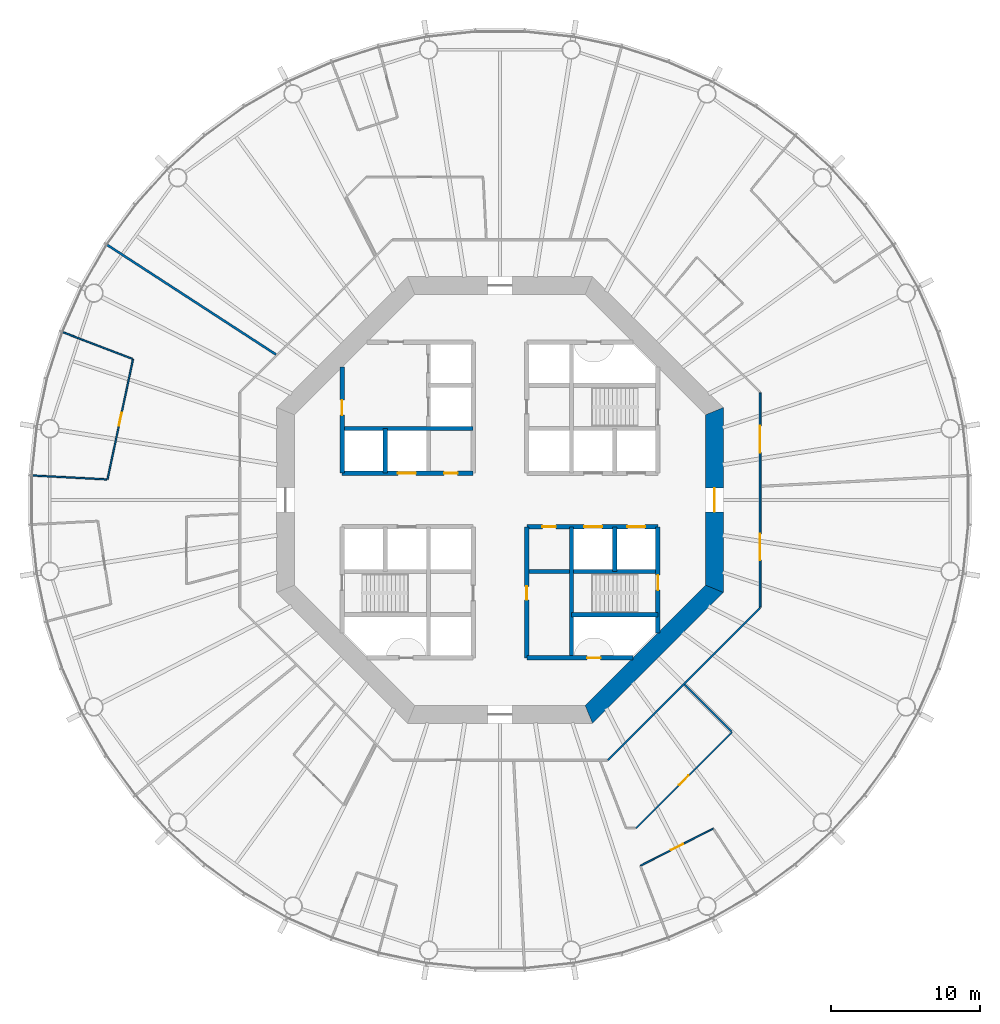
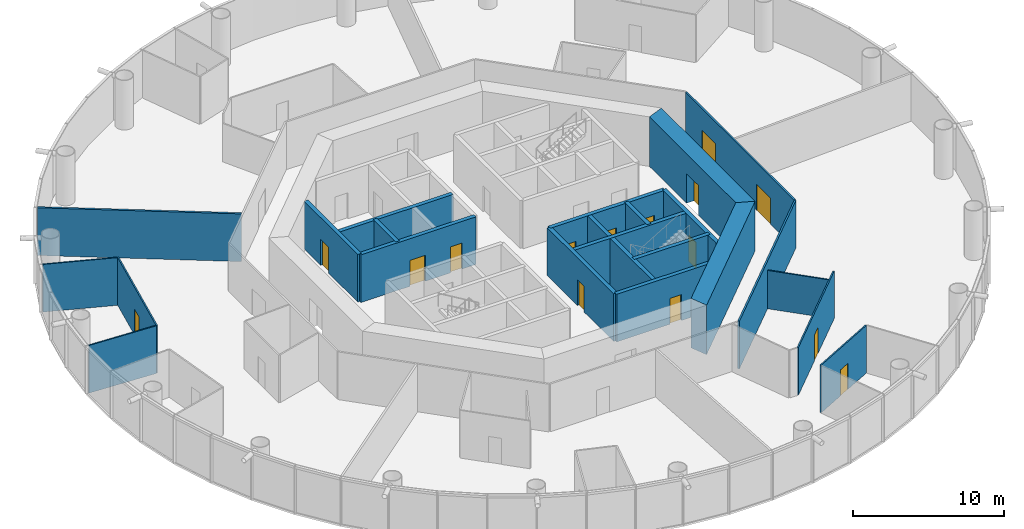
# One storey, part 4 of 13: 23 walls, 15 doors, 15 openings.
"""IFC4 building model written with IfcOpenShell, lengths in metres."""

from ifc_helpers import new_model, si_unit, direction, frame, frame_2d, origin, place, context, subcontext, project, spatial, polyline, rectangle, outline, extrude, material, layer, layer_set, type_object, element, fill, save


model = new_model("IFC4")

# Units and contexts
model_context = context("Model", 3, precision=1e-05, world=origin(), true_north=direction((0.0, 1.0)))
body_context = subcontext(model_context, "Body", "Model", "MODEL_VIEW")
ifc_project = project(units=[si_unit("LENGTHUNIT", "METRE"), si_unit("AREAUNIT", "SQUARE_METRE"), si_unit("VOLUMEUNIT", "CUBIC_METRE"), si_unit("PLANEANGLEUNIT", "RADIAN"), si_unit("MASSUNIT", "GRAM", prefix="KILO")], contexts=[model_context])

# Site, building, storey
site_placement = place(None, origin())
site = spatial("IfcSite", under=ifc_project, at=site_placement, CompositionType="ELEMENT")
building_placement = place(site_placement, origin())
building = spatial("IfcBuilding", under=site, at=building_placement, Name="Entoto Ring Tower", CompositionType="ELEMENT")
storey_placement = place(building_placement, frame((0.0, 0.0, 92.0)))
storey = spatial("IfcBuildingStorey", under=building, at=storey_placement, Name="L20", CompositionType="ELEMENT", Elevation=92.0)

# Wall, opening, door
ifc_material_1 = material(Name="Concrete C40/50", Category="concrete")
ifc_layer_1 = layer(ifc_material_1, 0.300048828125)
ifc_layer_set_1 = layer_set([ifc_layer_1], Name="Concrete C40/50")
wall_type_1 = type_object("IfcWallType", Name="Core enclosure wall 300 mm reinforced concrete", PredefinedType="SOLIDWALL", material=ifc_layer_set_1)
wall_1_placement = place(storey_placement, frame((100.60009765625, 71.083984375, 0.0), z_axis=(0.0, 0.0, 1.0), x_axis=(0.0, 1.0, 0.0)))
wall_1 = element("IfcWall", 1, at=wall_1_placement, inside=storey, type_object=wall_type_1, Name="wall-L20-001", PredefinedType="SOLIDWALL", context=body_context, shape_type="SweptSolid", body=[
    extrude(rectangle(XDim=7.115966796875, YDim=0.300048828125, at=frame_2d((3.55810546875, 0.0))), origin(), (0.0, 0.0, 1.0), 3.85009765625),
])
opening_1_placement = place(wall_1_placement, frame((2.8662109375, 0.0, 0.0)))
opening_1 = element("IfcOpeningElement", 2, at=opening_1_placement, cuts=wall_1, Name="Opening K-59", PredefinedType="OPENING", context=body_context, shape_type="SweptSolid", body=[
    extrude(rectangle(XDim=1.0, YDim=2.10009765625, at=frame_2d((0.5, 1.050048828125))), frame((0.0, 0.16015625, 0.0), z_axis=(0.0, -1.0, 0.0), x_axis=(1.0, 0.0, 0.0)), (0.0, 0.0, 1.0), 0.320068359375),
])
ifc_material_2 = material(Name="Steel door leaf, fire rated", Category="steel")
ifc_layer_2 = layer(ifc_material_2, 0.050048828125)
ifc_layer_set_2 = layer_set([ifc_layer_2], Name="Steel door leaf, fire rated")
door_type_1 = type_object("IfcDoorType", Name="Fire door FD60 1000 x 2100 single leaf", OperationType="NOTDEFINED", PredefinedType="DOOR", material=ifc_layer_set_2)
door_1_placement = place(opening_1_placement, origin())
door_1 = element("IfcDoor", 3, at=door_1_placement, inside=storey, type_object=door_type_1, Name="Door K-59", OperationType="SINGLE_SWING_RIGHT", OverallHeight=2.10009765625, OverallWidth=1.0, PredefinedType="DOOR", context=body_context, shape_type="SweptSolid", body=[
    extrude(rectangle(XDim=1.0, YDim=2.10009765625, at=frame_2d((0.5, 1.050048828125))), frame((0.0, 0.02490234375, 0.0), z_axis=(0.0, -1.0, 0.0), x_axis=(1.0, 0.0, 0.0)), (0.0, 0.0, 1.0), 0.050048828125),
])
fill(opening_1, door_1)

# Walls
wall_2_placement = place(storey_placement, frame((97.699951171875, 75.199951171875, 0.0), z_axis=(0.0, 0.0, 1.0), x_axis=(0.0, 1.0, 0.0)))
element("IfcWall", 4, at=wall_2_placement, inside=storey, type_object=wall_type_1, Name="wall-L20-003", PredefinedType="SOLIDWALL", context=body_context, shape_type="SweptSolid", body=[
    extrude(rectangle(XDim=3.0, YDim=0.300048828125, at=frame_2d((1.5, 0.0))), origin(), (0.0, 0.0, 1.0), 3.85009765625),
])
wall_3_placement = place(storey_placement, frame((94.800048828125, 69.39990234375, 0.0), z_axis=(0.0, 0.0, 1.0), x_axis=(0.0, 1.0, 0.0)))
element("IfcWall", 5, at=wall_3_placement, inside=storey, type_object=wall_type_1, Name="wall-L20-005", PredefinedType="SOLIDWALL", context=body_context, shape_type="SweptSolid", body=[
    extrude(rectangle(XDim=8.800048828125, YDim=0.300048828125, at=frame_2d((4.39990234375, 0.0))), origin(), (0.0, 0.0, 1.0), 3.85009765625),
])

# Wall, opening, door
wall_4_placement = place(storey_placement, frame((91.800048828125, 69.39990234375, 0.0), z_axis=(0.0, 0.0, 1.0), x_axis=(0.0, 1.0, 0.0)))
wall_4 = element("IfcWall", 6, at=wall_4_placement, inside=storey, type_object=wall_type_1, Name="wall-L20-007", PredefinedType="SOLIDWALL", context=body_context, shape_type="SweptSolid", body=[
    extrude(rectangle(XDim=8.800048828125, YDim=0.300048828125, at=frame_2d((4.39990234375, 0.0))), origin(), (0.0, 0.0, 1.0), 3.85009765625),
])
opening_2_placement = place(wall_4_placement, frame((3.89990234375, 0.0, 0.0)))
opening_2 = element("IfcOpeningElement", 7, at=opening_2_placement, cuts=wall_4, Name="Opening K-12", PredefinedType="OPENING", context=body_context, shape_type="SweptSolid", body=[
    extrude(rectangle(XDim=0.89990234375, YDim=2.10009765625, at=frame_2d((0.449951171875, 1.050048828125))), frame((0.0, 0.16015625, 0.0), z_axis=(0.0, -1.0, 0.0), x_axis=(1.0, 0.0, 0.0)), (0.0, 0.0, 1.0), 0.320068359375),
])
ifc_material_3 = material(Name="Steel door leaf, fire rated", Category="steel")
ifc_layer_3 = layer(ifc_material_3, 0.050048828125)
ifc_layer_set_3 = layer_set([ifc_layer_3], Name="Steel door leaf, fire rated")
door_type_2 = type_object("IfcDoorType", Name="Core door 900 x 2100 single leaf", OperationType="NOTDEFINED", PredefinedType="DOOR", material=ifc_layer_set_3)
door_2_placement = place(opening_2_placement, frame((0.89990234375, 0.0, 0.0), z_axis=(0.0, 0.0, 1.0), x_axis=(-1.0, 0.0, 0.0)))
door_2 = element("IfcDoor", 8, at=door_2_placement, inside=storey, type_object=door_type_2, Name="Door K-12", OperationType="SINGLE_SWING_LEFT", OverallHeight=2.10009765625, OverallWidth=0.89990234375, PredefinedType="DOOR", context=body_context, shape_type="SweptSolid", body=[
    extrude(rectangle(XDim=0.89990234375, YDim=2.10009765625, at=frame_2d((0.449951171875, 1.050048828125))), frame((0.0, 0.02490234375, 0.0), z_axis=(0.0, -1.0, 0.0), x_axis=(1.0, 0.0, 0.0)), (0.0, 0.0, 1.0), 0.050048828125),
])
fill(opening_2, door_2)

# Wall
wall_5_placement = place(storey_placement, frame((82.300048828125, 81.800048828125, 0.0), z_axis=(0.0, 0.0, 1.0), x_axis=(0.0, 1.0, 0.0)))
element("IfcWall", 9, at=wall_5_placement, inside=storey, type_object=wall_type_1, Name="wall-L20-014", PredefinedType="SOLIDWALL", context=body_context, shape_type="SweptSolid", body=[
    extrude(rectangle(XDim=3.0, YDim=0.300048828125, at=frame_2d((1.5, 0.0))), origin(), (0.0, 0.0, 1.0), 3.85009765625),
])

# Wall, opening, door
wall_6_placement = place(storey_placement, frame((79.39990234375, 81.800048828125, 0.0), z_axis=(0.0, 0.0, 1.0), x_axis=(0.0, 1.0, 0.0)))
wall_6 = element("IfcWall", 10, at=wall_6_placement, inside=storey, type_object=wall_type_1, Name="wall-L20-016", PredefinedType="SOLIDWALL", context=body_context, shape_type="SweptSolid", body=[
    extrude(rectangle(XDim=7.115966796875, YDim=0.300048828125, at=frame_2d((3.55810546875, 0.0))), origin(), (0.0, 0.0, 1.0), 3.85009765625),
])
opening_3_placement = place(wall_6_placement, frame((3.89990234375, 0.0, 0.0)))
opening_3 = element("IfcOpeningElement", 11, at=opening_3_placement, cuts=wall_6, Name="Opening K-22", PredefinedType="OPENING", context=body_context, shape_type="SweptSolid", body=[
    extrude(rectangle(XDim=1.0, YDim=2.10009765625, at=frame_2d((0.5, 1.050048828125))), frame((0.0, 0.16015625, 0.0), z_axis=(0.0, -1.0, 0.0), x_axis=(1.0, 0.0, 0.0)), (0.0, 0.0, 1.0), 0.320068359375),
])
door_3_placement = place(opening_3_placement, frame((1.0, 0.0, 0.0), z_axis=(0.0, 0.0, 1.0), x_axis=(-1.0, 0.0, 0.0)))
door_3 = element("IfcDoor", 12, at=door_3_placement, inside=storey, type_object=door_type_1, Name="Door K-22", OperationType="SINGLE_SWING_LEFT", OverallHeight=2.10009765625, OverallWidth=1.0, PredefinedType="DOOR", context=body_context, shape_type="SweptSolid", body=[
    extrude(rectangle(XDim=1.0, YDim=2.10009765625, at=frame_2d((0.5, 1.050048828125))), frame((0.0, 0.02490234375, 0.0), z_axis=(0.0, -1.0, 0.0), x_axis=(1.0, 0.0, 0.0)), (0.0, 0.0, 1.0), 0.050048828125),
])
fill(opening_3, door_3)

wall_7_placement = place(storey_placement, frame((91.800048828125, 69.39990234375, 0.0), z_axis=(0.0, 0.0, 1.0), x_axis=(1.0, 0.0, 0.0)))
wall_7 = element("IfcWall", 13, at=wall_7_placement, inside=storey, type_object=wall_type_1, Name="wall-L20-018", PredefinedType="SOLIDWALL", context=body_context, shape_type="SweptSolid", body=[
    extrude(rectangle(XDim=7.115966796875, YDim=0.300048828125, at=frame_2d((3.55810546875, 0.0))), origin(), (0.0, 0.0, 1.0), 3.85009765625),
])
opening_4_placement = place(wall_7_placement, frame((4.050048828125, 0.0, 0.0)))
opening_4 = element("IfcOpeningElement", 14, at=opening_4_placement, cuts=wall_7, Name="Opening K-66", PredefinedType="OPENING", context=body_context, shape_type="SweptSolid", body=[
    extrude(rectangle(XDim=0.89990234375, YDim=2.10009765625, at=frame_2d((0.449951171875, 1.050048828125))), frame((0.0, 0.16015625, 0.0), z_axis=(0.0, -1.0, 0.0), x_axis=(1.0, 0.0, 0.0)), (0.0, 0.0, 1.0), 0.320068359375),
])
ifc_material_4 = material(Name="Steel door leaf, fire rated", Category="steel")
ifc_layer_4 = layer(ifc_material_4, 0.050048828125)
ifc_layer_set_4 = layer_set([ifc_layer_4], Name="Steel door leaf, fire rated")
door_type_3 = type_object("IfcDoorType", Name="Riser door FD60 900 x 2100 single leaf", OperationType="NOTDEFINED", PredefinedType="DOOR", material=ifc_layer_set_4)
door_4_placement = place(opening_4_placement, origin())
door_4 = element("IfcDoor", 15, at=door_4_placement, inside=storey, type_object=door_type_3, Name="Door K-66", OperationType="SINGLE_SWING_LEFT", OverallHeight=2.10009765625, OverallWidth=0.89990234375, PredefinedType="DOOR", context=body_context, shape_type="SweptSolid", body=[
    extrude(rectangle(XDim=0.89990234375, YDim=2.10009765625, at=frame_2d((0.449951171875, 1.050048828125))), frame((0.0, 0.02490234375, 0.0), z_axis=(0.0, -1.0, 0.0), x_axis=(1.0, 0.0, 0.0)), (0.0, 0.0, 1.0), 0.050048828125),
])
fill(opening_4, door_4)

# Walls
wall_8_placement = place(storey_placement, frame((94.800048828125, 72.300048828125, 0.0), z_axis=(0.0, 0.0, 1.0), x_axis=(1.0, 0.0, 0.0)))
element("IfcWall", 16, at=wall_8_placement, inside=storey, type_object=wall_type_1, Name="wall-L20-020", PredefinedType="SOLIDWALL", context=body_context, shape_type="SweptSolid", body=[
    extrude(rectangle(XDim=5.800048828125, YDim=0.300048828125, at=frame_2d((2.89990234375, 0.0))), origin(), (0.0, 0.0, 1.0), 3.85009765625),
])
wall_9_placement = place(storey_placement, frame((91.800048828125, 75.199951171875, 0.0), z_axis=(0.0, 0.0, 1.0), x_axis=(1.0, 0.0, 0.0)))
element("IfcWall", 17, at=wall_9_placement, inside=storey, type_object=wall_type_1, Name="wall-L20-022", PredefinedType="SOLIDWALL", context=body_context, shape_type="SweptSolid", body=[
    extrude(rectangle(XDim=8.800048828125, YDim=0.300048828125, at=frame_2d((4.39990234375, 0.0))), origin(), (0.0, 0.0, 1.0), 3.85009765625),
])

# Wall, openings, doors
wall_10_placement = place(storey_placement, frame((91.800048828125, 78.199951171875, 0.0), z_axis=(0.0, 0.0, 1.0), x_axis=(1.0, 0.0, 0.0)))
wall_10 = element("IfcWall", 18, at=wall_10_placement, inside=storey, type_object=wall_type_1, Name="wall-L20-024", PredefinedType="SOLIDWALL", context=body_context, shape_type="SweptSolid", body=[
    extrude(rectangle(XDim=8.800048828125, YDim=0.300048828125, at=frame_2d((4.39990234375, 0.0))), origin(), (0.0, 0.0, 1.0), 3.85009765625),
])
opening_5_placement = place(wall_10_placement, frame((3.85009765625, 0.0, 0.0)))
opening_5 = element("IfcOpeningElement", 19, at=opening_5_placement, cuts=wall_10, Name="Opening LD", PredefinedType="OPENING", context=body_context, shape_type="SweptSolid", body=[
    extrude(rectangle(XDim=1.199951171875, YDim=2.10009765625, at=frame_2d((0.60009765625, 1.050048828125))), frame((0.0, 0.16015625, 0.0), z_axis=(0.0, -1.0, 0.0), x_axis=(1.0, 0.0, 0.0)), (0.0, 0.0, 1.0), 0.320068359375),
])
opening_6_placement = place(wall_10_placement, frame((6.75, 0.0, 0.0)))
opening_6 = element("IfcOpeningElement", 20, at=opening_6_placement, cuts=wall_10, Name="Opening LD", PredefinedType="OPENING", context=body_context, shape_type="SweptSolid", body=[
    extrude(rectangle(XDim=1.199951171875, YDim=2.10009765625, at=frame_2d((0.60009765625, 1.050048828125))), frame((0.0, 0.16015625, 0.0), z_axis=(0.0, -1.0, 0.0), x_axis=(1.0, 0.0, 0.0)), (0.0, 0.0, 1.0), 0.320068359375),
])
opening_7_placement = place(wall_10_placement, frame((1.050048828125, 0.0, 0.0)))
opening_7 = element("IfcOpeningElement", 21, at=opening_7_placement, cuts=wall_10, Name="Opening K-15", PredefinedType="OPENING", context=body_context, shape_type="SweptSolid", body=[
    extrude(rectangle(XDim=0.89990234375, YDim=2.10009765625, at=frame_2d((0.449951171875, 1.050048828125))), frame((0.0, 0.16015625, 0.0), z_axis=(0.0, -1.0, 0.0), x_axis=(1.0, 0.0, 0.0)), (0.0, 0.0, 1.0), 0.320068359375),
])
door_5_placement = place(opening_7_placement, frame((0.89990234375, 0.0, 0.0), z_axis=(0.0, 0.0, 1.0), x_axis=(-1.0, 0.0, 0.0)))
door_5 = element("IfcDoor", 22, at=door_5_placement, inside=storey, type_object=door_type_2, Name="Door K-15", OperationType="SINGLE_SWING_RIGHT", OverallHeight=2.10009765625, OverallWidth=0.89990234375, PredefinedType="DOOR", context=body_context, shape_type="SweptSolid", body=[
    extrude(rectangle(XDim=0.89990234375, YDim=2.10009765625, at=frame_2d((0.449951171875, 1.050048828125))), frame((0.0, 0.02490234375, 0.0), z_axis=(0.0, -1.0, 0.0), x_axis=(1.0, 0.0, 0.0)), (0.0, 0.0, 1.0), 0.050048828125),
])
fill(opening_7, door_5)
ifc_material_5 = material(Name="Steel and glass door leaf", Category="steel")
ifc_layer_5 = layer(ifc_material_5, 0.050048828125)
ifc_layer_set_5 = layer_set([ifc_layer_5], Name="Steel and glass door leaf")
door_type_4 = type_object("IfcDoorType", Name="Landing door 1200 x 2100 sliding", OperationType="DOUBLE_DOOR_SLIDING", PredefinedType="DOOR", material=ifc_layer_set_5)
door_6_placement = place(opening_5_placement, origin())
door_6 = element("IfcDoor", 23, at=door_6_placement, inside=storey, type_object=door_type_4, Name="Landing door LB4-LR", OperationType="SLIDING_TO_RIGHT", OverallHeight=2.10009765625, OverallWidth=1.199951171875, PredefinedType="DOOR", context=body_context, shape_type="SweptSolid", body=[
    extrude(rectangle(XDim=1.199951171875, YDim=2.10009765625, at=frame_2d((0.60009765625, 1.050048828125))), frame((0.0, 0.02490234375, 0.0), z_axis=(0.0, -1.0, 0.0), x_axis=(1.0, 0.0, 0.0)), (0.0, 0.0, 1.0), 0.050048828125),
])
fill(opening_5, door_6)
door_7_placement = place(opening_6_placement, origin())
door_7 = element("IfcDoor", 24, at=door_7_placement, inside=storey, type_object=door_type_4, Name="Landing door LB5-LR", OperationType="SLIDING_TO_RIGHT", OverallHeight=2.10009765625, OverallWidth=1.199951171875, PredefinedType="DOOR", context=body_context, shape_type="SweptSolid", body=[
    extrude(rectangle(XDim=1.199951171875, YDim=2.10009765625, at=frame_2d((0.60009765625, 1.050048828125))), frame((0.0, 0.02490234375, 0.0), z_axis=(0.0, -1.0, 0.0), x_axis=(1.0, 0.0, 0.0)), (0.0, 0.0, 1.0), 0.050048828125),
])
fill(opening_6, door_7)

wall_11_placement = place(storey_placement, frame((79.39990234375, 81.800048828125, 0.0), z_axis=(0.0, 0.0, 1.0), x_axis=(1.0, 0.0, 0.0)))
wall_11 = element("IfcWall", 25, at=wall_11_placement, inside=storey, type_object=wall_type_1, Name="wall-L20-025", PredefinedType="SOLIDWALL", context=body_context, shape_type="SweptSolid", body=[
    extrude(rectangle(XDim=8.800048828125, YDim=0.300048828125, at=frame_2d((4.39990234375, 0.0))), origin(), (0.0, 0.0, 1.0), 3.85009765625),
])
opening_8_placement = place(wall_11_placement, frame((3.75, 0.0, 0.0)))
opening_8 = element("IfcOpeningElement", 26, at=opening_8_placement, cuts=wall_11, Name="Opening LD", PredefinedType="OPENING", context=body_context, shape_type="SweptSolid", body=[
    extrude(rectangle(XDim=1.199951171875, YDim=2.10009765625, at=frame_2d((0.60009765625, 1.050048828125))), frame((0.0, 0.16015625, 0.0), z_axis=(0.0, -1.0, 0.0), x_axis=(1.0, 0.0, 0.0)), (0.0, 0.0, 1.0), 0.320068359375),
])
opening_9_placement = place(wall_11_placement, frame((6.85009765625, 0.0, 0.0)))
opening_9 = element("IfcOpeningElement", 27, at=opening_9_placement, cuts=wall_11, Name="Opening K-14", PredefinedType="OPENING", context=body_context, shape_type="SweptSolid", body=[
    extrude(rectangle(XDim=0.89990234375, YDim=2.10009765625, at=frame_2d((0.449951171875, 1.050048828125))), frame((0.0, 0.16015625, 0.0), z_axis=(0.0, -1.0, 0.0), x_axis=(1.0, 0.0, 0.0)), (0.0, 0.0, 1.0), 0.320068359375),
])
door_8_placement = place(opening_9_placement, frame((0.89990234375, 0.0, 0.0), z_axis=(0.0, 0.0, 1.0), x_axis=(-1.0, 0.0, 0.0)))
door_8 = element("IfcDoor", 28, at=door_8_placement, inside=storey, type_object=door_type_2, Name="Door K-14", OperationType="SINGLE_SWING_RIGHT", OverallHeight=2.10009765625, OverallWidth=0.89990234375, PredefinedType="DOOR", context=body_context, shape_type="SweptSolid", body=[
    extrude(rectangle(XDim=0.89990234375, YDim=2.10009765625, at=frame_2d((0.449951171875, 1.050048828125))), frame((0.0, 0.02490234375, 0.0), z_axis=(0.0, -1.0, 0.0), x_axis=(1.0, 0.0, 0.0)), (0.0, 0.0, 1.0), 0.050048828125),
])
fill(opening_9, door_8)
door_9_placement = place(opening_8_placement, origin())
door_9 = element("IfcDoor", 29, at=door_9_placement, inside=storey, type_object=door_type_4, Name="Landing door LB3-LR", OperationType="SLIDING_TO_RIGHT", OverallHeight=2.10009765625, OverallWidth=1.199951171875, PredefinedType="DOOR", context=body_context, shape_type="SweptSolid", body=[
    extrude(rectangle(XDim=1.199951171875, YDim=2.10009765625, at=frame_2d((0.60009765625, 1.050048828125))), frame((0.0, 0.02490234375, 0.0), z_axis=(0.0, -1.0, 0.0), x_axis=(1.0, 0.0, 0.0)), (0.0, 0.0, 1.0), 0.050048828125),
])
fill(opening_8, door_9)

# Wall
wall_12_placement = place(storey_placement, frame((79.39990234375, 84.800048828125, 0.0), z_axis=(0.0, 0.0, 1.0), x_axis=(1.0, 0.0, 0.0)))
element("IfcWall", 30, at=wall_12_placement, inside=storey, type_object=wall_type_1, Name="wall-L20-027", PredefinedType="SOLIDWALL", context=body_context, shape_type="SweptSolid", body=[
    extrude(rectangle(XDim=8.800048828125, YDim=0.300048828125, at=frame_2d((4.39990234375, 0.0))), origin(), (0.0, 0.0, 1.0), 3.85009765625),
])

# Wall, opening, door
ifc_material_6 = material(Name="Concrete C60/75", Category="concrete")
ifc_layer_6 = layer(ifc_material_6, 1.199951171875)
ifc_layer_set_6 = layer_set([ifc_layer_6], Name="Concrete C60/75")
wall_type_2 = type_object("IfcWallType", Name="Core shear wall 1200 mm reinforced concrete C60/75", PredefinedType="SHEAR", material=ifc_layer_set_6)
wall_13_placement = place(storey_placement, frame((104.39990234375, 74.035400390625, 0.0), z_axis=(0.0, 0.0, 1.0), x_axis=(0.0, 1.0, 0.0)))
wall_13 = element("IfcWall", 31, at=wall_13_placement, inside=storey, type_object=wall_type_2, Name="wall-L20-core-0", PredefinedType="SHEAR", context=body_context, shape_type="SweptSolid", body=[
    extrude(outline(polyline([(-0.24853515625, -0.60009765625), (12.177734375, -0.60009765625), (11.6806640625, 0.60009765625), (0.24853515625, 0.60009765625), (-0.24853515625, -0.60009765625)])), origin(), (0.0, 0.0, 1.0), 4.0),
])
opening_10_placement = place(wall_13_placement, frame((5.164794921875, 0.0, 0.0)))
opening_10 = element("IfcOpeningElement", 32, at=opening_10_placement, cuts=wall_13, Name="Opening K-01", PredefinedType="OPENING", context=body_context, shape_type="SweptSolid", body=[
    extrude(rectangle(XDim=1.60009765625, YDim=2.39990234375, at=frame_2d((0.800048828125, 1.199951171875))), frame((0.0, 0.60986328125, 0.0), z_axis=(0.0, -1.0, 0.0), x_axis=(1.0, 0.0, 0.0)), (0.0, 0.0, 1.0), 1.219970703125),
])
ifc_material_7 = material(Name="Steel door leaf, fire rated", Category="steel")
ifc_layer_7 = layer(ifc_material_7, 0.050048828125)
ifc_layer_set_7 = layer_set([ifc_layer_7], Name="Steel door leaf, fire rated")
door_type_5 = type_object("IfcDoorType", Name="Entrance door FD60 1600 x 2400 double leaf", OperationType="DOUBLE_DOOR_SINGLE_SWING", PredefinedType="DOOR", material=ifc_layer_set_7)
door_10_placement = place(opening_10_placement, origin())
door_10 = element("IfcDoor", 33, at=door_10_placement, inside=storey, type_object=door_type_5, Name="Entrance door K-01", OperationType="DOUBLE_DOOR_SINGLE_SWING", OverallHeight=2.39990234375, OverallWidth=1.60009765625, PredefinedType="DOOR", context=body_context, shape_type="SweptSolid", body=[
    extrude(rectangle(XDim=1.60009765625, YDim=2.39990234375, at=frame_2d((0.800048828125, 1.199951171875))), frame((0.0, 0.02490234375, 0.0), z_axis=(0.0, -1.0, 0.0), x_axis=(1.0, 0.0, 0.0)), (0.0, 0.0, 1.0), 0.050048828125),
])
fill(opening_10, door_10)

# Walls
wall_14_placement = place(storey_placement, frame((95.964599609375, 65.60009765625, 0.0), z_axis=(0.0, 0.0, 1.0), x_axis=(0.707106781187, 0.707106781187, 0.0)))
element("IfcWall", 34, at=wall_14_placement, inside=storey, type_object=wall_type_2, Name="wall-L20-core-7", PredefinedType="SHEAR", context=body_context, shape_type="SweptSolid", body=[
    extrude(outline(polyline([(-0.24853515625, -0.60009765625), (12.177734375, -0.60009765625), (11.6806640625, 0.60009765625), (0.24853515625, 0.60009765625), (-0.24853515625, -0.60009765625)])), origin(), (0.0, 0.0, 1.0), 4.0),
])
ifc_material_8 = material(Name="Fire-resisting plasterboard on steel studs", Category="steel")
ifc_layer_8 = layer(ifc_material_8, 0.125)
ifc_layer_set_8 = layer_set([ifc_layer_8], Name="Fire-resisting plasterboard on steel studs")
wall_type_3 = type_object("IfcWallType", Name="Corridor wall 125 mm one-hour plasterboard on steel studs", PredefinedType="PARTITIONING", material=ifc_layer_set_8)
wall_15_placement = place(storey_placement, frame((97.233154296875, 62.53759765625, 0.0), z_axis=(0.0, 0.0, 1.0), x_axis=(0.707106781187, 0.707106781187, 0.0)))
element("IfcWall", 35, at=wall_15_placement, inside=storey, type_object=wall_type_3, Name="partition-L20-003", PredefinedType="PARTITIONING", context=body_context, shape_type="SweptSolid", body=[
    extrude(rectangle(XDim=14.46630859375, YDim=0.125, at=frame_2d((7.233154296875, 0.0))), origin(), (0.0, 0.0, 1.0), 3.85009765625),
])

# Wall, openings, doors
wall_16_placement = place(storey_placement, frame((107.46240234375, 72.810791015625, 0.0), z_axis=(0.0, 0.0, 1.0), x_axis=(0.0, 1.0, 0.0)))
wall_16 = element("IfcWall", 36, at=wall_16_placement, inside=storey, type_object=wall_type_3, Name="partition-L20-008", PredefinedType="PARTITIONING", context=body_context, shape_type="SweptSolid", body=[
    extrude(rectangle(XDim=14.37841796875, YDim=0.125, at=frame_2d((7.189208984375, 0.0))), origin(), (0.0, 0.0, 1.0), 3.85009765625),
])
opening_11_placement = place(wall_16_placement, frame((3.13037109375, 0.0, 0.0)))
opening_11 = element("IfcOpeningElement", 37, at=opening_11_placement, cuts=wall_16, Name="Opening A09-D01", PredefinedType="OPENING", context=body_context, shape_type="SweptSolid", body=[
    extrude(rectangle(XDim=1.800048828125, YDim=2.10009765625, at=frame_2d((0.89990234375, 1.050048828125))), frame((0.0, 0.072509765625, 0.0), z_axis=(0.0, -1.0, 0.0), x_axis=(1.0, 0.0, 0.0)), (0.0, 0.0, 1.0), 0.14501953125),
])
opening_12_placement = place(wall_16_placement, frame((10.36328125, 0.0, 0.0)))
opening_12 = element("IfcOpeningElement", 38, at=opening_12_placement, cuts=wall_16, Name="Opening A09-D04", PredefinedType="OPENING", context=body_context, shape_type="SweptSolid", body=[
    extrude(rectangle(XDim=1.800048828125, YDim=2.10009765625, at=frame_2d((0.89990234375, 1.050048828125))), frame((0.0, 0.072509765625, 0.0), z_axis=(0.0, -1.0, 0.0), x_axis=(1.0, 0.0, 0.0)), (0.0, 0.0, 1.0), 0.14501953125),
])
ifc_material_9 = material(Name="Fire-resisting timber door set", Category="wood")
door_type_6 = type_object("IfcDoorType", Name="Door 1800 x 2100 double leaf FD30S fire door", OperationType="DOUBLE_DOOR_SINGLE_SWING", PredefinedType="DOOR", material=ifc_material_9)
door_11_placement = place(opening_11_placement, frame((1.800048828125, 0.0, 0.0), z_axis=(0.0, 0.0, 1.0), x_axis=(-1.0, 0.0, 0.0)))
door_11 = element("IfcDoor", 39, at=door_11_placement, inside=storey, type_object=door_type_6, Name="Door A09-D01", OperationType="DOUBLE_DOOR_SINGLE_SWING", OverallHeight=2.10009765625, OverallWidth=1.800048828125, PredefinedType="DOOR", context=body_context, shape_type="SweptSolid", body=[
    extrude(rectangle(XDim=1.800048828125, YDim=2.10009765625, at=frame_2d((0.89990234375, 1.050048828125))), frame((0.0, 0.02490234375, 0.0), z_axis=(0.0, -1.0, 0.0), x_axis=(1.0, 0.0, 0.0)), (0.0, 0.0, 1.0), 0.050048828125),
])
fill(opening_11, door_11)
door_12_placement = place(opening_12_placement, frame((1.800048828125, 0.0, 0.0), z_axis=(0.0, 0.0, 1.0), x_axis=(-1.0, 0.0, 0.0)))
door_12 = element("IfcDoor", 40, at=door_12_placement, inside=storey, type_object=door_type_6, Name="Door A09-D04", OperationType="DOUBLE_DOOR_SINGLE_SWING", OverallHeight=2.10009765625, OverallWidth=1.800048828125, PredefinedType="DOOR", context=body_context, shape_type="SweptSolid", body=[
    extrude(rectangle(XDim=1.800048828125, YDim=2.10009765625, at=frame_2d((0.89990234375, 1.050048828125))), frame((0.0, 0.02490234375, 0.0), z_axis=(0.0, -1.0, 0.0), x_axis=(1.0, 0.0, 0.0)), (0.0, 0.0, 1.0), 0.050048828125),
])
fill(opening_12, door_12)

# Wall, opening, door
ifc_material_10 = material(Name="Plasterboard on steel studs", Category="steel")
ifc_layer_9 = layer(ifc_material_10, 0.10009765625)
ifc_layer_set_9 = layer_set([ifc_layer_9], Name="Plasterboard on steel studs")
wall_type_4 = type_object("IfcWallType", Name="Partition 100 mm plasterboard on steel studs", PredefinedType="PARTITIONING", material=ifc_layer_set_9)
wall_17_placement = place(storey_placement, frame((99.126220703125, 57.967529296875, 0.0), z_axis=(0.0, 0.0, 1.0), x_axis=(0.707106781187, 0.707106781187, 0.0)))
wall_17 = element("IfcWall", 41, at=wall_17_placement, inside=storey, type_object=wall_type_4, Name="partition-L20-014", PredefinedType="PARTITIONING", context=body_context, shape_type="SweptSolid", body=[
    extrude(rectangle(XDim=9.1259765625, YDim=0.10009765625, at=frame_2d((4.56298828125, 0.0))), origin(), (0.0, 0.0, 1.0), 3.85009765625),
])
opening_13_placement = place(wall_17_placement, frame((4.113037109375, 0.0, 0.0)))
opening_13 = element("IfcOpeningElement", 42, at=opening_13_placement, cuts=wall_17, Name="Opening A09-D02", PredefinedType="OPENING", context=body_context, shape_type="SweptSolid", body=[
    extrude(rectangle(XDim=0.89990234375, YDim=2.10009765625, at=frame_2d((0.449951171875, 1.050048828125))), frame((0.0, 0.06005859375, 0.0), z_axis=(0.0, -1.0, 0.0), x_axis=(1.0, 0.0, 0.0)), (0.0, 0.0, 1.0), 0.1201171875),
])
ifc_material_11 = material(Name="Veneered timber door leaf in timber frame", Category="wood")
door_type_7 = type_object("IfcDoorType", Name="Door 900 x 2100 single leaf timber veneer", OperationType="NOTDEFINED", PredefinedType="DOOR", material=ifc_material_11)
door_13_placement = place(opening_13_placement, origin())
door_13 = element("IfcDoor", 43, at=door_13_placement, inside=storey, type_object=door_type_7, Name="Door A09-D02", OperationType="SINGLE_SWING_RIGHT", OverallHeight=2.10009765625, OverallWidth=0.89990234375, PredefinedType="DOOR", context=body_context, shape_type="SweptSolid", body=[
    extrude(rectangle(XDim=0.89990234375, YDim=2.10009765625, at=frame_2d((0.449951171875, 1.050048828125))), frame((0.0, 0.02490234375, 0.0), z_axis=(0.0, -1.0, 0.0), x_axis=(1.0, 0.0, 0.0)), (0.0, 0.0, 1.0), 0.050048828125),
])
fill(opening_13, door_13)

wall_18_placement = place(storey_placement, frame((63.646240234375, 81.381103515625, 0.0), z_axis=(0.0, 0.0, 1.0), x_axis=(0.207901193137, 0.978149832026, 0.0)))
wall_18 = element("IfcWall", 44, at=wall_18_placement, inside=storey, type_object=wall_type_4, Name="partition-L20-016", PredefinedType="PARTITIONING", context=body_context, shape_type="SweptSolid", body=[
    extrude(rectangle(XDim=8.256591796875, YDim=0.10009765625, at=frame_2d((4.12841796875, 0.0))), origin(), (0.0, 0.0, 1.0), 3.85009765625),
])
opening_14_placement = place(wall_18_placement, frame((3.67822265625, 0.0, 0.0)))
opening_14 = element("IfcOpeningElement", 45, at=opening_14_placement, cuts=wall_18, Name="Opening A09-D12", PredefinedType="OPENING", context=body_context, shape_type="SweptSolid", body=[
    extrude(rectangle(XDim=0.89990234375, YDim=2.10009765625, at=frame_2d((0.449951171875, 1.050048828125))), frame((0.0, 0.06005859375, 0.0), z_axis=(0.0, -1.0, 0.0), x_axis=(1.0, 0.0, 0.0)), (0.0, 0.0, 1.0), 0.1201171875),
])
door_14_placement = place(opening_14_placement, origin())
door_14 = element("IfcDoor", 46, at=door_14_placement, inside=storey, type_object=door_type_7, Name="Door A09-D12", OperationType="SINGLE_SWING_LEFT", OverallHeight=2.10009765625, OverallWidth=0.89990234375, PredefinedType="DOOR", context=body_context, shape_type="SweptSolid", body=[
    extrude(rectangle(XDim=0.89990234375, YDim=2.10009765625, at=frame_2d((0.449951171875, 1.050048828125))), frame((0.0, 0.02490234375, 0.0), z_axis=(0.0, -1.0, 0.0), x_axis=(1.0, 0.0, 0.0)), (0.0, 0.0, 1.0), 0.050048828125),
])
fill(opening_14, door_14)

wall_19_placement = place(storey_placement, frame((99.425048828125, 55.44677734375, 0.0), z_axis=(0.0, 0.0, 1.0), x_axis=(0.890991035008, 0.454020897686, 0.0)))
wall_19 = element("IfcWall", 47, at=wall_19_placement, inside=storey, type_object=wall_type_4, Name="partition-L20-019", PredefinedType="PARTITIONING", context=body_context, shape_type="SweptSolid", body=[
    extrude(rectangle(XDim=5.498291015625, YDim=0.10009765625, at=frame_2d((2.7490234375, 0.0))), origin(), (0.0, 0.0, 1.0), 3.85009765625),
])
opening_15_placement = place(wall_19_placement, frame((2.299072265625, 0.0, 0.0)))
opening_15 = element("IfcOpeningElement", 48, at=opening_15_placement, cuts=wall_19, Name="Opening A09-D03", PredefinedType="OPENING", context=body_context, shape_type="SweptSolid", body=[
    extrude(rectangle(XDim=0.89990234375, YDim=2.10009765625, at=frame_2d((0.449951171875, 1.050048828125))), frame((0.0, 0.06005859375, 0.0), z_axis=(0.0, -1.0, 0.0), x_axis=(1.0, 0.0, 0.0)), (0.0, 0.0, 1.0), 0.1201171875),
])
door_15_placement = place(opening_15_placement, frame((0.89990234375, 0.0, 0.0), z_axis=(0.0, 0.0, 1.0), x_axis=(-1.0, 0.0, 0.0)))
door_15 = element("IfcDoor", 49, at=door_15_placement, inside=storey, type_object=door_type_7, Name="Door A09-D03", OperationType="SINGLE_SWING_LEFT", OverallHeight=2.10009765625, OverallWidth=0.89990234375, PredefinedType="DOOR", context=body_context, shape_type="SweptSolid", body=[
    extrude(rectangle(XDim=0.89990234375, YDim=2.10009765625, at=frame_2d((0.449951171875, 1.050048828125))), frame((0.0, 0.02490234375, 0.0), z_axis=(0.0, -1.0, 0.0), x_axis=(1.0, 0.0, 0.0)), (0.0, 0.0, 1.0), 0.050048828125),
])
fill(opening_15, door_15)

# Walls
for number, where, z_axis, x_axis, name in (
    (50, (63.596923828125, 81.3837890625, 0.0), (0.0, 0.0, 1.0), (-0.998629537626, 0.052335901459, 0.0), "partition-L20-022"),
    (51, (65.31689453125, 89.47509765625, 0.0), (0.0, 0.0, 1.0), (-0.933590747986, 0.358341059991, 0.0), "partition-L20-023"),
):
    element("IfcWall", number, at=place(storey_placement, frame(where, z_axis=z_axis, x_axis=x_axis)), inside=storey, type_object=wall_type_4, Name=name, PredefinedType="PARTITIONING", context=body_context, shape_type="SweptSolid", body=[
        extrude(rectangle(XDim=5.000732421875, YDim=0.10009765625, at=frame_2d((2.50048828125, 0.0))), origin(), (0.0, 0.0, 1.0), 3.85009765625),
    ])
ifc_material_12 = material(Name="Plasterboard on steel studs", Category="steel")
ifc_layer_10 = layer(ifc_material_12, 0.10009765625)
ifc_layer_set_10 = layer_set([ifc_layer_10], Name="Plasterboard on steel studs")
wall_type_5 = type_object("IfcWallType", Name="Partition 100 mm plasterboard on steel studs, 3097 mm high", PredefinedType="PARTITIONING", material=ifc_layer_set_10)
wall_20_placement = place(storey_placement, frame((105.5439453125, 64.4560546875, 0.0), z_axis=(0.0, 0.0, 1.0), x_axis=(-0.707106781187, 0.707106781187, 0.0)))
element("IfcWall", 52, at=wall_20_placement, inside=storey, type_object=wall_type_5, Name="partition-L20-033", PredefinedType="PARTITIONING", context=body_context, shape_type="SweptSolid", body=[
    extrude(rectangle(XDim=4.457275390625, YDim=0.10009765625, at=frame_2d((2.228515625, 0.0))), origin(), (0.0, 0.0, 1.0), 3.096923828125),
])
ifc_material_13 = material(Name="Fire-resisting acoustic plasterboard on steel studs", Category="steel")
ifc_layer_11 = layer(ifc_material_13, 0.14990234375)
ifc_layer_set_11 = layer_set([ifc_layer_11], Name="Fire-resisting acoustic plasterboard on steel studs")
wall_type_6 = type_object("IfcWallType", Name="Party wall 150 mm one-hour acoustic plasterboard on steel studs", PredefinedType="PARTITIONING", material=ifc_layer_set_11)
wall_21_placement = place(storey_placement, frame((74.960693359375, 89.7666015625, 0.0), z_axis=(0.0, 0.0, 1.0), x_axis=(-0.838669008766, 0.544641435933, 0.0)))
element("IfcWall", 53, at=wall_21_placement, inside=storey, type_object=wall_type_6, Name="partition-L20-012", PredefinedType="PARTITIONING", context=body_context, shape_type="SweptSolid", body=[
    extrude(rectangle(XDim=13.5078125, YDim=0.14990234375, at=frame_2d((6.75390625, 0.0))), origin(), (0.0, 0.0, 1.0), 3.85009765625),
])

save(model, "model.ifc")
